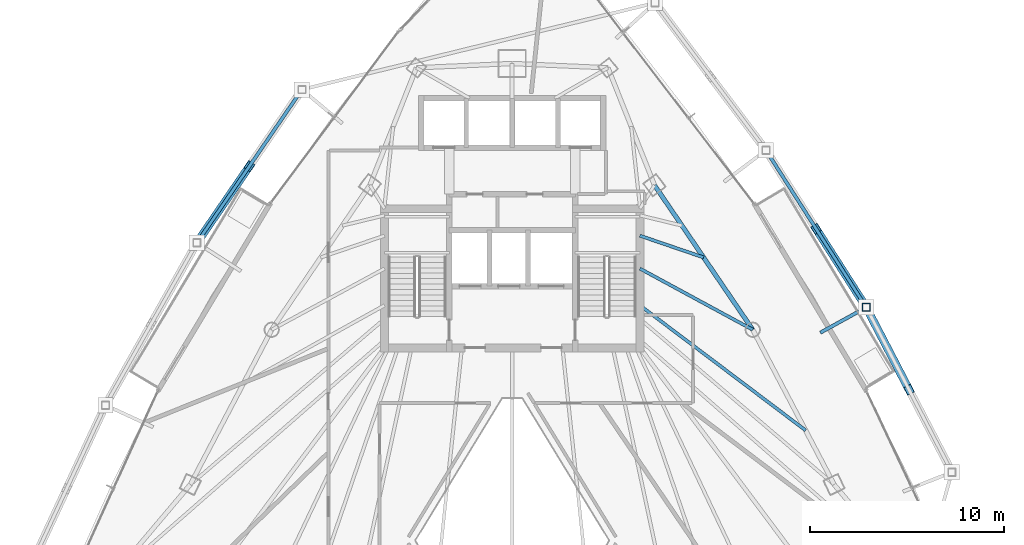
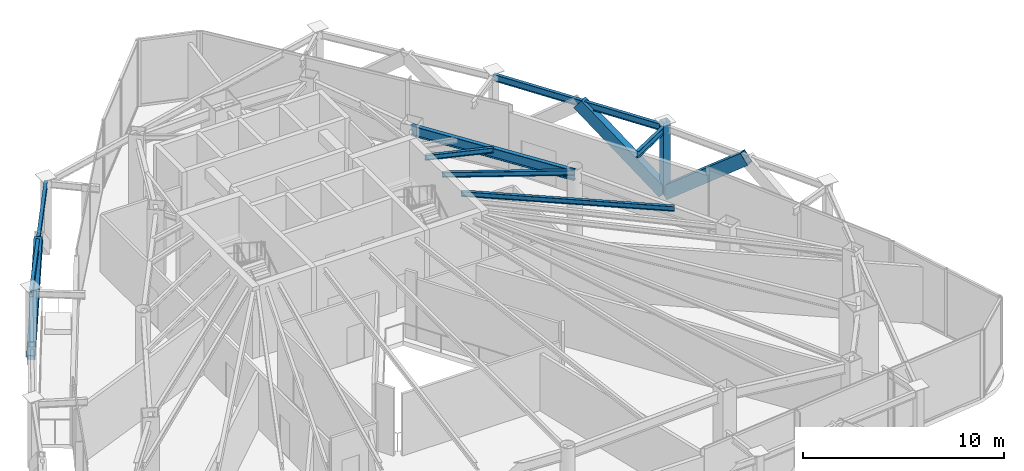
# One storey, part 17 of 28: 7 beams, 4 members.
"""IFC4 building model written with IfcOpenShell, lengths in metres."""

from ifc_helpers import new_model, si_unit, direction, frame, origin, origin_2d, place, context, subcontext, project, spatial, hollow_rectangle, i_section, extrude, material, material_profile, profile_set, type_object, element, save


model = new_model("IFC4")

# Units and contexts
model_context = context("Model", 3, precision=1e-05, world=origin(), true_north=direction((0.0, 1.0)))
body_context = subcontext(model_context, "Body", "Model", "MODEL_VIEW")
ifc_project = project(units=[si_unit("LENGTHUNIT", "METRE"), si_unit("AREAUNIT", "SQUARE_METRE"), si_unit("VOLUMEUNIT", "CUBIC_METRE"), si_unit("PLANEANGLEUNIT", "RADIAN"), si_unit("MASSUNIT", "GRAM", prefix="KILO")], contexts=[model_context])

# Site, building, storey
site_placement = place(None, origin())
site = spatial("IfcSite", under=ifc_project, at=site_placement, CompositionType="ELEMENT")
building_placement = place(site_placement, origin())
building = spatial("IfcBuilding", under=site, at=building_placement, Name="Orvanel Arch Residences", CompositionType="ELEMENT")
storey_placement = place(building_placement, frame((0.0, 0.0, 146.300048828125)))
storey = spatial("IfcBuildingStorey", under=building, at=storey_placement, Name="L41", CompositionType="ELEMENT", Elevation=146.300048828125)

# Beams
ifc_material_1 = material(Name="Structural steel AS/NZS 3679.1 Grade 300 (300 MPa)", Category="steel")
ifc_material_profile_1 = material_profile(ifc_material_1, i_section(OverallWidth=0.1650390625, OverallDepth=0.303955078125, WebThickness=0.006103515625, FlangeThickness=0.01025390625, at=origin_2d()), Name="310UB40.4")
ifc_profile_set_1 = profile_set([ifc_material_profile_1], Name="Structural steel AS/NZS 3679.1 Grade 300 (300 MPa)")
beam_type_1 = type_object("IfcBeamType", Name="BJ-310UB", PredefinedType="JOIST", material=ifc_profile_set_1)
beam_1_placement = place(storey_placement, frame((39.60009765625, 30.800048828125, 3.9580078125), z_axis=(0.87925534649, -0.476350748576, 0.0), x_axis=(0.476350748576, 0.87925534649, 0.0)))
element("IfcBeam", 1, at=beam_1_placement, inside=storey, type_object=beam_type_1, Name="L41 NE Wing Floor Joist", PredefinedType="JOIST", context=body_context, shape_type="SweptSolid", body=[
    extrude(i_section(OverallWidth=0.1650390625, OverallDepth=0.303955078125, WebThickness=0.006103515625, FlangeThickness=0.01025390625, at=origin_2d()), origin(), (0.0, 0.0, 1.0), 6.631591796875),
])
beam_2_placement = place(storey_placement, frame((39.60009765625, 32.5, 3.9580078125), z_axis=(0.9464126781, -0.322959815969, 0.0), x_axis=(0.322959815969, 0.9464126781, 0.0)))
element("IfcBeam", 2, at=beam_2_placement, inside=storey, type_object=beam_type_1, Name="L41 ENE Wing Floor Joist", PredefinedType="JOIST", context=body_context, shape_type="SweptSolid", body=[
    extrude(i_section(OverallWidth=0.1650390625, OverallDepth=0.303955078125, WebThickness=0.006103515625, FlangeThickness=0.01025390625, at=origin_2d()), origin(), (0.0, 0.0, 1.0), 3.477294921875),
])
beam_3_placement = place(storey_placement, frame((39.60009765625, 28.89990234375, 3.9580078125), z_axis=(0.798363428886, -0.602175917334, 0.0), x_axis=(0.602175917334, 0.798363428886, 0.0)))
element("IfcBeam", 3, at=beam_3_placement, inside=storey, type_object=beam_type_1, Name="L41 CTE Wing Floor Joist", PredefinedType="JOIST", context=body_context, shape_type="SweptSolid", body=[
    extrude(i_section(OverallWidth=0.1650390625, OverallDepth=0.303955078125, WebThickness=0.006103515625, FlangeThickness=0.01025390625, at=origin_2d()), origin(), (0.0, 0.0, 1.0), 10.724365234375),
])

# Members
ifc_material_2 = material(Name="Structural steel AS/NZS 3678 Grade 350", Category="steel")
ifc_material_profile_2 = material_profile(ifc_material_2, hollow_rectangle(XDim=0.419921875, YDim=0.719970703125, WallThickness=0.02490234375, at=origin_2d()), Name="RHS720x420x25")
ifc_profile_set_2 = profile_set([ifc_material_profile_2], Name="Structural steel AS/NZS 3678 Grade 350")
member_type_1 = type_object("IfcMemberType", Name="BR-720RHS-EXT", PredefinedType="BRACE", material=ifc_profile_set_2)
member_1_placement = place(storey_placement, frame((16.70703125, 32.136962890625, 0.0), z_axis=(0.438749634057, 0.639443761244, 0.631356028578), x_axis=(-0.824564076959, 0.565768577237, 0.0)))
element("IfcMember", 4, at=member_1_placement, inside=storey, type_object=member_type_1, Name="L41 Exterior Sky-Garden V-Frame Chevron F1B1.2", PredefinedType="BRACE", context=body_context, shape_type="SweptSolid", body=[
    extrude(hollow_rectangle(XDim=0.419921875, YDim=0.719970703125, WallThickness=0.02490234375, at=origin_2d()), origin(), (0.0, 0.0, 1.0), 6.188232421875),
])
member_2_placement = place(storey_placement, frame((51.297119140625, 28.797119140625, 0.0), z_axis=(0.357604859723, -0.688105291089, 0.631371422126), x_axis=(0.887327562215, 0.461139672262, 0.0)))
element("IfcMember", 5, at=member_2_placement, inside=storey, type_object=member_type_1, Name="L41 Exterior Sky-Garden V-Frame Chevron F3B1.2", PredefinedType="BRACE", context=body_context, shape_type="SweptSolid", body=[
    extrude(hollow_rectangle(XDim=0.419921875, YDim=0.719970703125, WallThickness=0.02490234375, at=origin_2d()), origin(), (0.0, 0.0, 1.0), 6.18798828125),
])
member_3_placement = place(storey_placement, frame((51.297119140625, 28.797119140625, 0.0), z_axis=(-0.417846820956, 0.654546631338, 0.6300577288), x_axis=(-0.842892365394, -0.53808220595, 0.0)))
element("IfcMember", 6, at=member_3_placement, inside=storey, type_object=member_type_1, Name="L41 Exterior Sky-Garden V-Frame Chevron F3B2.1", PredefinedType="BRACE", context=body_context, shape_type="SweptSolid", body=[
    extrude(hollow_rectangle(XDim=0.419921875, YDim=0.719970703125, WallThickness=0.02490234375, at=origin_2d()), origin(), (0.0, 0.0, 1.0), 6.200927734375),
])

# Beams
ifc_material_profile_3 = material_profile(ifc_material_1, i_section(OverallWidth=0.177978515625, OverallDepth=0.406005859375, WebThickness=0.0078125, FlangeThickness=0.0126953125, at=origin_2d()), Name="410UB59.7")
ifc_profile_set_3 = profile_set([ifc_material_profile_3], Name="Structural steel AS/NZS 3679.1 Grade 300 (300 MPa)")
beam_type_2 = type_object("IfcBeamType", Name="OB-410UB-EXT", PredefinedType="SPANDREL", material=ifc_profile_set_3)
beam_4_placement = place(storey_placement, frame((22.135986328125, 40.052001953125, 3.906982421875), z_axis=(-0.565634631111, -0.824655967109, 0.0), x_axis=(0.824655967109, -0.565634631111, 0.0)))
element("IfcBeam", 7, at=beam_4_placement, inside=storey, type_object=beam_type_2, Name="L41 Outer Perimeter Floor Ring Beam 01", PredefinedType="SPANDREL", context=body_context, shape_type="SweptSolid", body=[
    extrude(i_section(OverallWidth=0.177978515625, OverallDepth=0.406005859375, WebThickness=0.0078125, FlangeThickness=0.0126953125, at=origin_2d()), origin(), (0.0, 0.0, 1.0), 9.597900390625),
])
beam_5_placement = place(storey_placement, frame((48.926025390625, 27.489013671875, 3.906982421875), z_axis=(0.875590833101, 0.483053509448, 0.0), x_axis=(-0.483053509448, 0.875590833101, 0.0)))
element("IfcBeam", 8, at=beam_5_placement, inside=storey, type_object=beam_type_2, Name="L41 Outer Frame Radial Tie Beam 10", PredefinedType="SPANDREL", context=body_context, shape_type="SweptSolid", body=[
    extrude(i_section(OverallWidth=0.177978515625, OverallDepth=0.406005859375, WebThickness=0.0078125, FlangeThickness=0.0126953125, at=origin_2d()), origin(), (0.0, 0.0, 1.0), 2.7080078125),
])
beam_6_placement = place(storey_placement, frame((51.297119140625, 28.797119140625, 3.906982421875), z_axis=(-0.538024723631, 0.842929057965, 0.0), x_axis=(-0.842929057965, -0.538024723631, 0.0)))
element("IfcBeam", 9, at=beam_6_placement, inside=storey, type_object=beam_type_2, Name="L41 Outer Perimeter Floor Ring Beam 10", PredefinedType="SPANDREL", context=body_context, shape_type="SweptSolid", body=[
    extrude(i_section(OverallWidth=0.177978515625, OverallDepth=0.406005859375, WebThickness=0.0078125, FlangeThickness=0.0126953125, at=origin_2d()), origin(), (0.0, 0.0, 1.0), 9.6318359375),
])
ifc_material_profile_4 = material_profile(ifc_material_1, i_section(OverallWidth=0.22900390625, OverallDepth=0.612060546875, WebThickness=0.011962890625, FlangeThickness=0.01953125, at=origin_2d()), Name="610UB125")
ifc_profile_set_4 = profile_set([ifc_material_profile_4], Name="Structural steel AS/NZS 3679.1 Grade 300 (300 MPa)")
beam_type_3 = type_object("IfcBeamType", Name="SP-610UB", PredefinedType="SPANDREL", material=ifc_profile_set_4)
beam_7_placement = place(storey_placement, frame((45.430908203125, 27.64111328125, 3.803955078125), z_axis=(-0.562154793153, 0.827032035978, 0.0), x_axis=(-0.827032035978, -0.562154793153, 0.0)))
element("IfcBeam", 10, at=beam_7_placement, inside=storey, type_object=beam_type_3, Name="L41 Perimeter Spandrel Beam 12", PredefinedType="SPANDREL", context=body_context, shape_type="SweptSolid", body=[
    extrude(i_section(OverallWidth=0.22900390625, OverallDepth=0.612060546875, WebThickness=0.011962890625, FlangeThickness=0.01953125, at=origin_2d()), origin(), (0.0, 0.0, 1.0), 9.03466796875),
])

# Member
ifc_material_3 = material(Name="Structural steel AS/NZS 1163 C450L0 (Grade 450)", Category="steel")
ifc_material_profile_5 = material_profile(ifc_material_3, hollow_rectangle(XDim=0.39990234375, YDim=0.39990234375, WallThickness=0.01611328125, at=origin_2d()), Name="SHS400x400x16")
ifc_profile_set_5 = profile_set([ifc_material_profile_5], Name="Structural steel AS/NZS 1163 C450L0 (Grade 450)")
member_type_2 = type_object("IfcMemberType", Name="ST-400SHS-EXT", PredefinedType="STRUT", material=ifc_profile_set_5)
member_4_placement = place(storey_placement, frame((51.297119140625, 28.797119140625, 0.0), z_axis=(0.0, 0.0, 1.0), x_axis=(1.0, 0.0, 0.0)))
element("IfcMember", 11, at=member_4_placement, inside=storey, type_object=member_type_2, Name="L41 Outer Perimeter Frame Post 10", PredefinedType="STRUT", context=body_context, shape_type="SweptSolid", body=[
    extrude(hollow_rectangle(XDim=0.39990234375, YDim=0.39990234375, WallThickness=0.01611328125, at=origin_2d()), origin(), (0.0, 0.0, 1.0), 4.349853515625),
])

save(model, "model.ifc")
